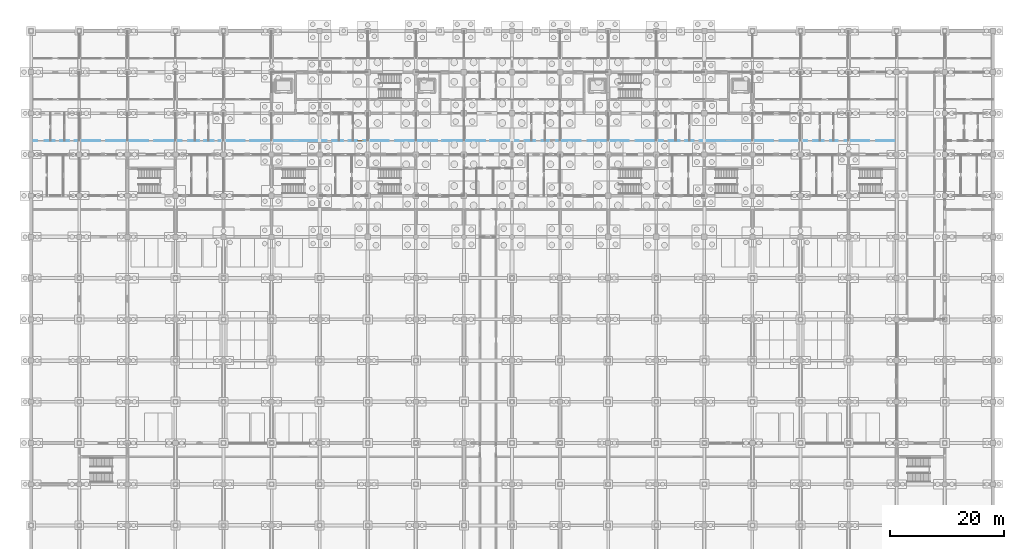
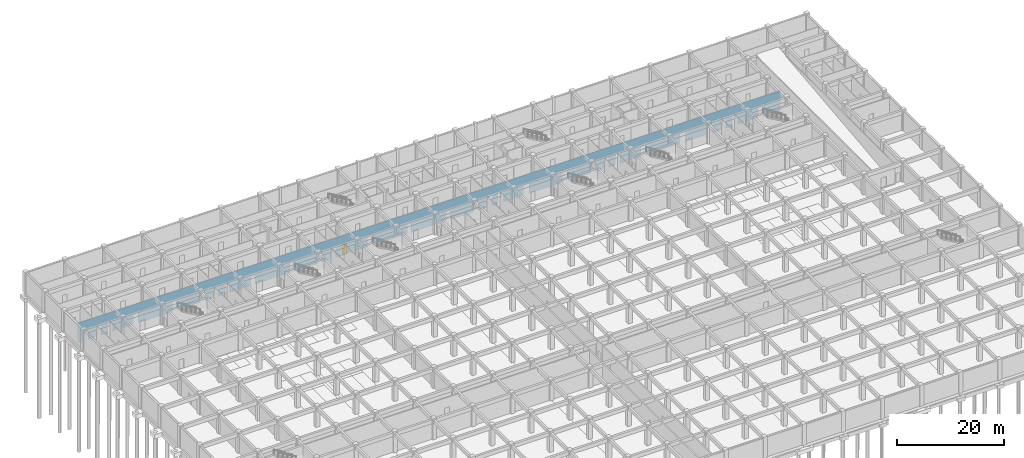
# One storey, part 53 of 85: 1 door, 30 openings, plus 1 element that does not belong to this part.
"""IFC4 building model written with IfcOpenShell, lengths in metres."""

from ifc_helpers import new_model, si_unit, direction, frame, frame_2d, origin, place, context, subcontext, project, spatial, rectangle, extrude, material, layer, layer_set, type_object, element, fill, save


model = new_model("IFC4")

# Units and contexts
model_context = context("Model", 3, precision=1e-05, world=origin(), true_north=direction((0.0, 1.0)))
body_context = subcontext(model_context, "Body", "Model", "MODEL_VIEW")
ifc_project = project(units=[si_unit("LENGTHUNIT", "METRE"), si_unit("AREAUNIT", "SQUARE_METRE"), si_unit("VOLUMEUNIT", "CUBIC_METRE"), si_unit("PLANEANGLEUNIT", "RADIAN"), si_unit("MASSUNIT", "GRAM", prefix="KILO")], contexts=[model_context])

# Site, building, storey
site_placement = place(None, origin())
site = spatial("IfcSite", under=ifc_project, at=site_placement, CompositionType="ELEMENT")
building_placement = place(site_placement, origin())
building = spatial("IfcBuilding", under=site, at=building_placement, Name="Chengyuan Square Courthouse", CompositionType="ELEMENT")
storey_placement = place(building_placement, frame((0.0, 0.0, -10.199951171875)))
storey = spatial("IfcBuildingStorey", under=building, at=storey_placement, Name="B02", CompositionType="ELEMENT", Elevation=-10.199951171875)

# Wall, openings, door
ifc_material_1 = material(Name="Gypsum Plasterboard Acoustic Stud Partition")
ifc_layer = layer(ifc_material_1, 0.10009765625)
ifc_layer_set = layer_set([ifc_layer], Name="Gypsum Plasterboard Acoustic Stud Partition")
wall_type = type_object("IfcWallType", Name="WL-PT6", PredefinedType="STANDARD", material=ifc_layer_set)
wall_placement = place(storey_placement, frame((0.0400390625, 96.0, 0.0), z_axis=(0.0, 0.0, 1.0), x_axis=(1.0, 0.0, 0.0)))
wall = element("IfcWall", 1, at=wall_placement, inside=storey, type_object=wall_type, Name="Interior Wall WL-B02-I062", PredefinedType="STANDARD", context=body_context, shape_type="SweptSolid", body=[
    extrude(rectangle(XDim=151.159912109375, YDim=0.10009765625, at=frame_2d((75.580078125, 0.0))), origin(), (0.0, 0.0, 1.0), 4.47998046875),
])
opening_1_placement = place(wall_placement, frame((1.0400390625, 0.0, 0.0)))
element("IfcOpeningElement", 2, at=opening_1_placement, cuts=wall, Name="Opening DR-148", PredefinedType="OPENING", context=body_context, shape_type="SweptSolid", body=[
    extrude(rectangle(XDim=1.280029296875, YDim=2.35009765625, at=frame_2d((0.64013671875, 1.175048828125))), frame((0.0, 0.06201171875, 0.0), z_axis=(0.0, -1.0, 0.0), x_axis=(1.0, 0.0, 0.0)), (0.0, 0.0, 1.0), 0.1240234375),
])
opening_2_placement = place(wall_placement, frame((4.090087890625, 0.0, 0.0)))
element("IfcOpeningElement", 3, at=opening_2_placement, cuts=wall, Name="Opening DR-149", PredefinedType="OPENING", context=body_context, shape_type="SweptSolid", body=[
    extrude(rectangle(XDim=0.93994140625, YDim=2.300048828125, at=frame_2d((0.469970703125, 1.14990234375))), frame((0.0, 0.06201171875, 0.0), z_axis=(0.0, -1.0, 0.0), x_axis=(1.0, 0.0, 0.0)), (0.0, 0.0, 1.0), 0.1240234375),
])
opening_3_placement = place(wall_placement, frame((6.570068359375, 0.0, 0.0)))
element("IfcOpeningElement", 4, at=opening_3_placement, cuts=wall, Name="Opening DR-150", PredefinedType="OPENING", context=body_context, shape_type="SweptSolid", body=[
    extrude(rectangle(XDim=0.97998046875, YDim=2.35009765625, at=frame_2d((0.489990234375, 1.175048828125))), frame((0.0, 0.06201171875, 0.0), z_axis=(0.0, -1.0, 0.0), x_axis=(1.0, 0.0, 0.0)), (0.0, 0.0, 1.0), 0.1240234375),
])
opening_4_placement = place(wall_placement, frame((12.050048828125, 0.0, 0.0)))
element("IfcOpeningElement", 5, at=opening_4_placement, cuts=wall, Name="Opening DR-151", PredefinedType="OPENING", context=body_context, shape_type="SweptSolid", body=[
    extrude(rectangle(XDim=1.02001953125, YDim=2.39990234375, at=frame_2d((0.510009765625, 1.199951171875))), frame((0.0, 0.06201171875, 0.0), z_axis=(0.0, -1.0, 0.0), x_axis=(1.0, 0.0, 0.0)), (0.0, 0.0, 1.0), 0.1240234375),
])
opening_5_placement = place(wall_placement, frame((20.429931640625, 0.0, 0.0)))
element("IfcOpeningElement", 6, at=opening_5_placement, cuts=wall, Name="Opening DR-152", PredefinedType="OPENING", context=body_context, shape_type="SweptSolid", body=[
    extrude(rectangle(XDim=1.06005859375, YDim=2.39990234375, at=frame_2d((0.530029296875, 1.199951171875))), frame((0.0, 0.06201171875, 0.0), z_axis=(0.0, -1.0, 0.0), x_axis=(1.0, 0.0, 0.0)), (0.0, 0.0, 1.0), 0.1240234375),
])
opening_6_placement = place(wall_placement, frame((26.2900390625, 0.0, 0.0)))
element("IfcOpeningElement", 7, at=opening_6_placement, cuts=wall, Name="Opening DR-153", PredefinedType="OPENING", context=body_context, shape_type="SweptSolid", body=[
    extrude(rectangle(XDim=1.139892578125, YDim=2.39990234375, at=frame_2d((0.56982421875, 1.199951171875))), frame((0.0, 0.06201171875, 0.0), z_axis=(0.0, -1.0, 0.0), x_axis=(1.0, 0.0, 0.0)), (0.0, 0.0, 1.0), 0.1240234375),
])
opening_7_placement = place(wall_placement, frame((29.31005859375, 0.0, 0.0)))
element("IfcOpeningElement", 8, at=opening_7_placement, cuts=wall, Name="Opening DR-154", PredefinedType="OPENING", context=body_context, shape_type="SweptSolid", body=[
    extrude(rectangle(XDim=0.89990234375, YDim=2.14990234375, at=frame_2d((0.449951171875, 1.074951171875))), frame((0.0, 0.06201171875, 0.0), z_axis=(0.0, -1.0, 0.0), x_axis=(1.0, 0.0, 0.0)), (0.0, 0.0, 1.0), 0.1240234375),
])
opening_8_placement = place(wall_placement, frame((31.830078125, 0.0, 0.0)))
element("IfcOpeningElement", 9, at=opening_8_placement, cuts=wall, Name="Opening DR-155", PredefinedType="OPENING", context=body_context, shape_type="SweptSolid", body=[
    extrude(rectangle(XDim=0.860107421875, YDim=2.10009765625, at=frame_2d((0.43017578125, 1.050048828125))), frame((0.0, 0.06201171875, 0.0), z_axis=(0.0, -1.0, 0.0), x_axis=(1.0, 0.0, 0.0)), (0.0, 0.0, 1.0), 0.1240234375),
])
opening_9_placement = place(wall_placement, frame((37.300048828125, 0.0, 0.0)))
element("IfcOpeningElement", 10, at=opening_9_placement, cuts=wall, Name="Opening DR-156", PredefinedType="OPENING", context=body_context, shape_type="SweptSolid", body=[
    extrude(rectangle(XDim=0.919921875, YDim=2.14990234375, at=frame_2d((0.4599609375, 1.074951171875))), frame((0.0, 0.06201171875, 0.0), z_axis=(0.0, -1.0, 0.0), x_axis=(1.0, 0.0, 0.0)), (0.0, 0.0, 1.0), 0.1240234375),
])
opening_10_placement = place(wall_placement, frame((45.679931640625, 0.0, 0.0)))
element("IfcOpeningElement", 11, at=opening_10_placement, cuts=wall, Name="Opening DR-157", PredefinedType="OPENING", context=body_context, shape_type="SweptSolid", body=[
    extrude(rectangle(XDim=0.9599609375, YDim=2.199951171875, at=frame_2d((0.47998046875, 1.10009765625))), frame((0.0, 0.06201171875, 0.0), z_axis=(0.0, -1.0, 0.0), x_axis=(1.0, 0.0, 0.0)), (0.0, 0.0, 1.0), 0.1240234375),
])
opening_11_placement = place(wall_placement, frame((51.570068359375, 0.0, 0.0)))
element("IfcOpeningElement", 12, at=opening_11_placement, cuts=wall, Name="Opening DR-167", PredefinedType="OPENING", context=body_context, shape_type="SweptSolid", body=[
    extrude(rectangle(XDim=0.97998046875, YDim=2.35009765625, at=frame_2d((0.489990234375, 1.175048828125))), frame((0.0, 0.06201171875, 0.0), z_axis=(0.0, -1.0, 0.0), x_axis=(1.0, 0.0, 0.0)), (0.0, 0.0, 1.0), 0.1240234375),
])
opening_12_placement = place(wall_placement, frame((54.449951171875, 0.0, 0.0)))
element("IfcOpeningElement", 13, at=opening_12_placement, cuts=wall, Name="Opening DR-168", PredefinedType="OPENING", context=body_context, shape_type="SweptSolid", body=[
    extrude(rectangle(XDim=1.02001953125, YDim=2.39990234375, at=frame_2d((0.510009765625, 1.199951171875))), frame((0.0, 0.06201171875, 0.0), z_axis=(0.0, -1.0, 0.0), x_axis=(1.0, 0.0, 0.0)), (0.0, 0.0, 1.0), 0.1240234375),
])
opening_13_placement = place(wall_placement, frame((56.929931640625, 0.0, 0.0)))
opening_13 = element("IfcOpeningElement", 14, at=opening_13_placement, cuts=wall, Name="Opening DR-169", PredefinedType="OPENING", context=body_context, shape_type="SweptSolid", body=[
    extrude(rectangle(XDim=1.06005859375, YDim=2.39990234375, at=frame_2d((0.530029296875, 1.199951171875))), frame((0.0, 0.06201171875, 0.0), z_axis=(0.0, -1.0, 0.0), x_axis=(1.0, 0.0, 0.0)), (0.0, 0.0, 1.0), 0.1240234375),
])
opening_14_placement = place(wall_placement, frame((62.389892578125, 0.0, 0.0)))
element("IfcOpeningElement", 15, at=opening_14_placement, cuts=wall, Name="Opening DR-170", PredefinedType="OPENING", context=body_context, shape_type="SweptSolid", body=[
    extrude(rectangle(XDim=1.139892578125, YDim=2.39990234375, at=frame_2d((0.56982421875, 1.199951171875))), frame((0.0, 0.06201171875, 0.0), z_axis=(0.0, -1.0, 0.0), x_axis=(1.0, 0.0, 0.0)), (0.0, 0.0, 1.0), 0.1240234375),
])
opening_15_placement = place(wall_placement, frame((70.909912109375, 0.0, 0.0)))
element("IfcOpeningElement", 16, at=opening_15_placement, cuts=wall, Name="Opening DR-171", PredefinedType="OPENING", context=body_context, shape_type="SweptSolid", body=[
    extrude(rectangle(XDim=0.89990234375, YDim=2.14990234375, at=frame_2d((0.449951171875, 1.074951171875))), frame((0.0, 0.06201171875, 0.0), z_axis=(0.0, -1.0, 0.0), x_axis=(1.0, 0.0, 0.0)), (0.0, 0.0, 1.0), 0.1240234375),
])
opening_16_placement = place(wall_placement, frame((79.330078125, 0.0, 0.0)))
element("IfcOpeningElement", 17, at=opening_16_placement, cuts=wall, Name="Opening DR-172", PredefinedType="OPENING", context=body_context, shape_type="SweptSolid", body=[
    extrude(rectangle(XDim=0.860107421875, YDim=2.10009765625, at=frame_2d((0.43017578125, 1.050048828125))), frame((0.0, 0.06201171875, 0.0), z_axis=(0.0, -1.0, 0.0), x_axis=(1.0, 0.0, 0.0)), (0.0, 0.0, 1.0), 0.1240234375),
])
opening_17_placement = place(wall_placement, frame((85.10009765625, 0.0, 0.0)))
element("IfcOpeningElement", 18, at=opening_17_placement, cuts=wall, Name="Opening DR-178", PredefinedType="OPENING", context=body_context, shape_type="SweptSolid", body=[
    extrude(rectangle(XDim=1.1201171875, YDim=2.25, at=frame_2d((0.56005859375, 1.125))), frame((0.0, 0.06201171875, 0.0), z_axis=(0.0, -1.0, 0.0), x_axis=(1.0, 0.0, 0.0)), (0.0, 0.0, 1.0), 0.1240234375),
])
opening_18_placement = place(wall_placement, frame((87.97998046875, 0.0, 0.0)))
element("IfcOpeningElement", 19, at=opening_18_placement, cuts=wall, Name="Opening DR-179", PredefinedType="OPENING", context=body_context, shape_type="SweptSolid", body=[
    extrude(rectangle(XDim=1.159912109375, YDim=2.300048828125, at=frame_2d((0.580078125, 1.14990234375))), frame((0.0, 0.06201171875, 0.0), z_axis=(0.0, -1.0, 0.0), x_axis=(1.0, 0.0, 0.0)), (0.0, 0.0, 1.0), 0.1240234375),
])
opening_19_placement = place(wall_placement, frame((90.4599609375, 0.0, 0.0)))
element("IfcOpeningElement", 20, at=opening_19_placement, cuts=wall, Name="Opening DR-180", PredefinedType="OPENING", context=body_context, shape_type="SweptSolid", body=[
    extrude(rectangle(XDim=1.199951171875, YDim=2.35009765625, at=frame_2d((0.60009765625, 1.175048828125))), frame((0.0, 0.06201171875, 0.0), z_axis=(0.0, -1.0, 0.0), x_axis=(1.0, 0.0, 0.0)), (0.0, 0.0, 1.0), 0.1240234375),
])
opening_20_placement = place(wall_placement, frame((95.93994140625, 0.0, 0.0)))
element("IfcOpeningElement", 21, at=opening_20_placement, cuts=wall, Name="Opening DR-181", PredefinedType="OPENING", context=body_context, shape_type="SweptSolid", body=[
    extrude(rectangle(XDim=1.239990234375, YDim=2.300048828125, at=frame_2d((0.6201171875, 1.14990234375))), frame((0.0, 0.06201171875, 0.0), z_axis=(0.0, -1.0, 0.0), x_axis=(1.0, 0.0, 0.0)), (0.0, 0.0, 1.0), 0.1240234375),
])
opening_21_placement = place(wall_placement, frame((104.320068359375, 0.0, 0.0)))
element("IfcOpeningElement", 22, at=opening_21_placement, cuts=wall, Name="Opening DR-182", PredefinedType="OPENING", context=body_context, shape_type="SweptSolid", body=[
    extrude(rectangle(XDim=1.280029296875, YDim=2.35009765625, at=frame_2d((0.64013671875, 1.175048828125))), frame((0.0, 0.06201171875, 0.0), z_axis=(0.0, -1.0, 0.0), x_axis=(1.0, 0.0, 0.0)), (0.0, 0.0, 1.0), 0.1240234375),
])
opening_22_placement = place(wall_placement, frame((110.389892578125, 0.0, 0.0)))
element("IfcOpeningElement", 23, at=opening_22_placement, cuts=wall, Name="Opening DR-183", PredefinedType="OPENING", context=body_context, shape_type="SweptSolid", body=[
    extrude(rectangle(XDim=0.93994140625, YDim=2.300048828125, at=frame_2d((0.469970703125, 1.14990234375))), frame((0.0, 0.06201171875, 0.0), z_axis=(0.0, -1.0, 0.0), x_axis=(1.0, 0.0, 0.0)), (0.0, 0.0, 1.0), 0.1240234375),
])
opening_23_placement = place(wall_placement, frame((113.27001953125, 0.0, 0.0)))
element("IfcOpeningElement", 24, at=opening_23_placement, cuts=wall, Name="Opening DR-184", PredefinedType="OPENING", context=body_context, shape_type="SweptSolid", body=[
    extrude(rectangle(XDim=0.97998046875, YDim=2.35009765625, at=frame_2d((0.489990234375, 1.175048828125))), frame((0.0, 0.06201171875, 0.0), z_axis=(0.0, -1.0, 0.0), x_axis=(1.0, 0.0, 0.0)), (0.0, 0.0, 1.0), 0.1240234375),
])
opening_24_placement = place(wall_placement, frame((115.75, 0.0, 0.0)))
element("IfcOpeningElement", 25, at=opening_24_placement, cuts=wall, Name="Opening DR-185", PredefinedType="OPENING", context=body_context, shape_type="SweptSolid", body=[
    extrude(rectangle(XDim=1.02001953125, YDim=2.39990234375, at=frame_2d((0.510009765625, 1.199951171875))), frame((0.0, 0.06201171875, 0.0), z_axis=(0.0, -1.0, 0.0), x_axis=(1.0, 0.0, 0.0)), (0.0, 0.0, 1.0), 0.1240234375),
])
opening_25_placement = place(wall_placement, frame((121.239990234375, 0.0, 0.0)))
element("IfcOpeningElement", 26, at=opening_25_placement, cuts=wall, Name="Opening DR-193", PredefinedType="OPENING", context=body_context, shape_type="SweptSolid", body=[
    extrude(rectangle(XDim=1.0400390625, YDim=2.199951171875, at=frame_2d((0.52001953125, 1.10009765625))), frame((0.0, 0.06201171875, 0.0), z_axis=(0.0, -1.0, 0.0), x_axis=(1.0, 0.0, 0.0)), (0.0, 0.0, 1.0), 0.1240234375),
])
opening_26_placement = place(wall_placement, frame((129.6201171875, 0.0, 0.0)))
element("IfcOpeningElement", 27, at=opening_26_placement, cuts=wall, Name="Opening DR-194", PredefinedType="OPENING", context=body_context, shape_type="SweptSolid", body=[
    extrude(rectangle(XDim=1.080078125, YDim=2.25, at=frame_2d((0.5400390625, 1.125))), frame((0.0, 0.06201171875, 0.0), z_axis=(0.0, -1.0, 0.0), x_axis=(1.0, 0.0, 0.0)), (0.0, 0.0, 1.0), 0.1240234375),
])
opening_27_placement = place(wall_placement, frame((135.5, 0.0, 0.0)))
element("IfcOpeningElement", 28, at=opening_27_placement, cuts=wall, Name="Opening DR-195", PredefinedType="OPENING", context=body_context, shape_type="SweptSolid", body=[
    extrude(rectangle(XDim=1.1201171875, YDim=2.25, at=frame_2d((0.56005859375, 1.125))), frame((0.0, 0.06201171875, 0.0), z_axis=(0.0, -1.0, 0.0), x_axis=(1.0, 0.0, 0.0)), (0.0, 0.0, 1.0), 0.1240234375),
])
opening_28_placement = place(wall_placement, frame((138.3798828125, 0.0, 0.0)))
element("IfcOpeningElement", 29, at=opening_28_placement, cuts=wall, Name="Opening DR-196", PredefinedType="OPENING", context=body_context, shape_type="SweptSolid", body=[
    extrude(rectangle(XDim=1.159912109375, YDim=2.300048828125, at=frame_2d((0.580078125, 1.14990234375))), frame((0.0, 0.06201171875, 0.0), z_axis=(0.0, -1.0, 0.0), x_axis=(1.0, 0.0, 0.0)), (0.0, 0.0, 1.0), 0.1240234375),
])
opening_29_placement = place(wall_placement, frame((140.860107421875, 0.0, 0.0)))
element("IfcOpeningElement", 30, at=opening_29_placement, cuts=wall, Name="Opening DR-197", PredefinedType="OPENING", context=body_context, shape_type="SweptSolid", body=[
    extrude(rectangle(XDim=1.199951171875, YDim=2.35009765625, at=frame_2d((0.60009765625, 1.175048828125))), frame((0.0, 0.06201171875, 0.0), z_axis=(0.0, -1.0, 0.0), x_axis=(1.0, 0.0, 0.0)), (0.0, 0.0, 1.0), 0.1240234375),
])
opening_30_placement = place(wall_placement, frame((146.340087890625, 0.0, 0.0)))
element("IfcOpeningElement", 31, at=opening_30_placement, cuts=wall, Name="Opening DR-198", PredefinedType="OPENING", context=body_context, shape_type="SweptSolid", body=[
    extrude(rectangle(XDim=1.239990234375, YDim=2.300048828125, at=frame_2d((0.6201171875, 1.14990234375))), frame((0.0, 0.06201171875, 0.0), z_axis=(0.0, -1.0, 0.0), x_axis=(1.0, 0.0, 0.0)), (0.0, 0.0, 1.0), 0.1240234375),
])
ifc_material_2 = material(Name="Acoustic Solid-Core Timber Door", Category="wood")
door_type = type_object("IfcDoorType", Name="DT-42", OperationType="NOTDEFINED", PredefinedType="DOOR", material=ifc_material_2)
door_placement = place(opening_13_placement, origin())
door = element("IfcDoor", 32, at=door_placement, inside=storey, type_object=door_type, Name="Interior Door DR-169", OperationType="SINGLE_SWING_RIGHT", OverallHeight=2.39990234375, OverallWidth=1.06005859375, PredefinedType="DOOR", context=body_context, shape_type="SweptSolid", body=[
    extrude(rectangle(XDim=1.06005859375, YDim=2.39990234375, at=frame_2d((0.530029296875, 1.199951171875))), frame((0.0, 0.02490234375, 0.0), z_axis=(0.0, -1.0, 0.0), x_axis=(1.0, 0.0, 0.0)), (0.0, 0.0, 1.0), 0.050048828125),
])
fill(opening_13, door)

save(model, "model.ifc")
